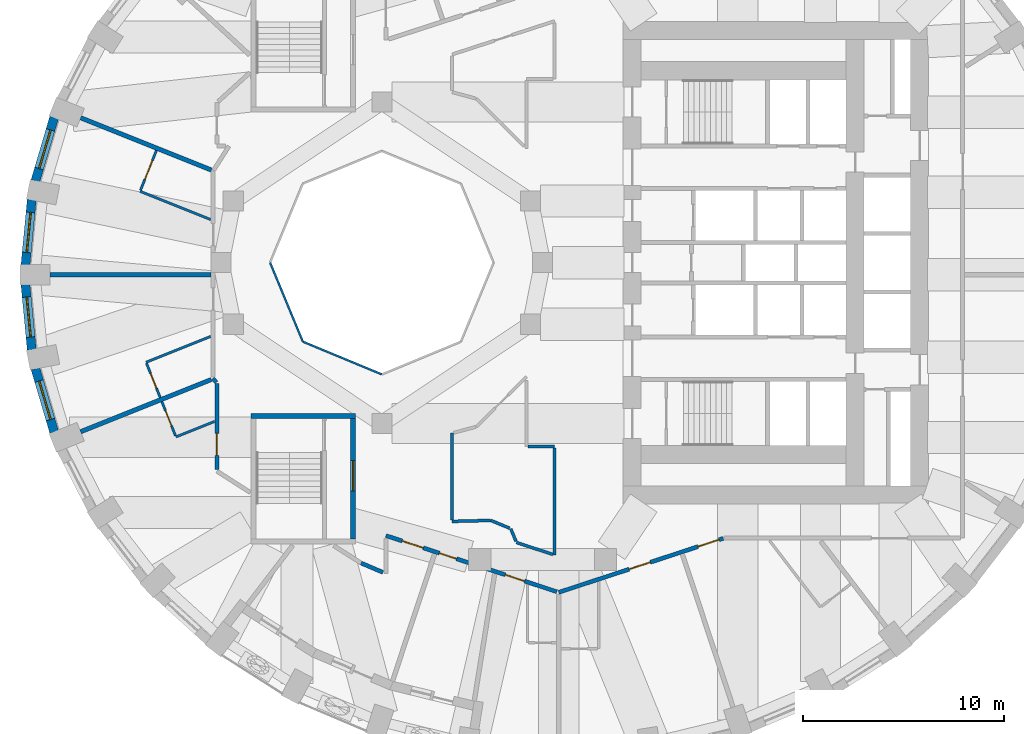
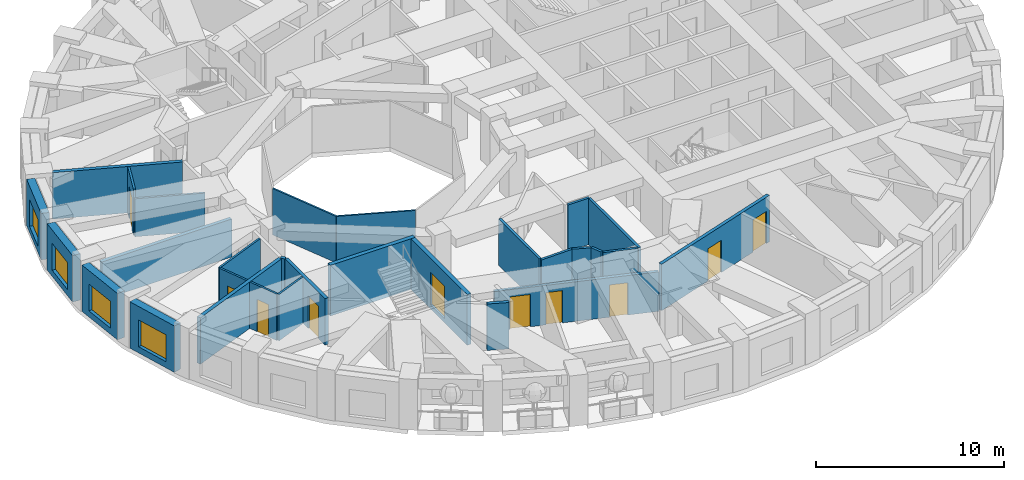
# One storey, part 4 of 12: 29 walls, 10 doors, 4 windows, 14 openings.
"""IFC4 building model written with IfcOpenShell, lengths in metres."""

from ifc_helpers import new_model, si_unit, direction, frame, frame_2d, origin, place, context, subcontext, project, spatial, rectangle, extrude, material, layer, layer_set, type_object, element, fill, save


model = new_model("IFC4")

# Units and contexts
model_context = context("Model", 3, precision=1e-05, world=origin(), true_north=direction((0.0, 1.0)))
body_context = subcontext(model_context, "Body", "Model", "MODEL_VIEW")
ifc_project = project(units=[si_unit("LENGTHUNIT", "METRE"), si_unit("AREAUNIT", "SQUARE_METRE"), si_unit("VOLUMEUNIT", "CUBIC_METRE"), si_unit("PLANEANGLEUNIT", "RADIAN"), si_unit("MASSUNIT", "GRAM", prefix="KILO")], contexts=[model_context])

# Site, building, storey
site_placement = place(None, origin())
site = spatial("IfcSite", under=ifc_project, at=site_placement, CompositionType="ELEMENT")
building_placement = place(site_placement, origin())
building = spatial("IfcBuilding", under=site, at=building_placement, Name="Taillehof Tower", CompositionType="ELEMENT")
storey_placement = place(building_placement, frame((0.0, 0.0, 125.199951171875)))
storey = spatial("IfcBuildingStorey", under=building, at=storey_placement, Name="L35", CompositionType="ELEMENT", Elevation=125.199951171875)

# Walls
ifc_material_1 = material(Name="Fire-resisting glass in steel frame", Category="steel")
ifc_layer_1 = layer(ifc_material_1, 0.10009765625)
ifc_layer_set_1 = layer_set([ifc_layer_1], Name="Atrium fire-resisting screen EI 60 100")
wall_type_1 = type_object("IfcWallType", Name="Atrium fire-resisting screen EI 60 100", PredefinedType="PARTITIONING", material=ifc_layer_set_1)
for number, where, z_axis, x_axis, name in (
    (1, (-8.0, -5.55419921875, 0.0), (0.0, 0.0, 1.0), (-0.923860025149, 0.382730523909, 0.0), "Atrium screen"),
    (2, (-11.92724609375, -3.92724609375, 0.0), (0.0, 0.0, 1.0), (-0.382730523909, 0.923860025149, 0.0), "Atrium screen"),
):
    element("IfcWall", number, at=place(storey_placement, frame(where, z_axis=z_axis, x_axis=x_axis)), inside=storey, type_object=wall_type_1, Name=name, PredefinedType="PARTITIONING", context=body_context, shape_type="SweptSolid", body=[
        extrude(rectangle(XDim=4.2509765625, YDim=0.10009765625, at=frame_2d((2.12548828125, 0.0))), origin(), (0.0, 0.0, 1.0), 3.02001953125),
    ])

# Wall, opening, window
ifc_material_2 = material(Name="Brick masonry", Category="masonry")
ifc_layer_2 = layer(ifc_material_2, 0.449951171875)
ifc_layer_set_2 = layer_set([ifc_layer_2], Name="Brick infill wall 450")
wall_type_2 = type_object("IfcWallType", Name="Brick infill wall 450", PredefinedType="SOLIDWALL", material=ifc_layer_set_2)
wall_1_placement = place(storey_placement, frame((-24.302001953125, 7.220703125, 0.0), z_axis=(0.0, 0.0, 1.0), x_axis=(-0.283071248438, -0.959098883488, 0.0)))
wall_1 = element("IfcWall", 3, at=wall_1_placement, inside=storey, type_object=wall_type_2, Name="Brick wall L35 bay 17", PredefinedType="SOLIDWALL", context=body_context, shape_type="SweptSolid", body=[
    extrude(rectangle(XDim=3.2861328125, YDim=0.449951171875, at=frame_2d((1.64306640625, 0.0))), origin(), (0.0, 0.0, 1.0), 3.02001953125),
])
opening_1_placement = place(wall_1_placement, frame((0.64306640625, 0.0, 0.39990234375)))
opening_1 = element("IfcOpeningElement", 4, at=opening_1_placement, cuts=wall_1, Name="Opening W2", PredefinedType="OPENING", context=body_context, shape_type="SweptSolid", body=[
    extrude(rectangle(XDim=2.0, YDim=1.75, at=frame_2d((1.0, 0.875))), frame((0.0, 0.23486328125, 0.0), z_axis=(0.0, -1.0, 0.0), x_axis=(1.0, 0.0, 0.0)), (0.0, 0.0, 1.0), 0.469970703125),
])
ifc_material_3 = material(Name="Aluminium window frame with clear double glazing", Category="aluminium")
window_type = type_object("IfcWindowType", Name="Deep-set window 2000x1750", PartitioningType="SINGLE_PANEL", PredefinedType="WINDOW", material=ifc_material_3)
window_1_placement = place(opening_1_placement, origin())
window_1 = element("IfcWindow", 5, at=window_1_placement, inside=storey, type_object=window_type, Name="W2", OverallHeight=1.75, OverallWidth=2.0, PartitioningType="SINGLE_PANEL", PredefinedType="WINDOW", context=body_context, shape_type="SweptSolid", body=[
    extrude(rectangle(XDim=2.0, YDim=1.75, at=frame_2d((1.0, 0.875))), frame((0.0, 0.034912109375, 0.0), z_axis=(0.0, -1.0, 0.0), x_axis=(1.0, 0.0, 0.0)), (0.0, 0.0, 1.0), 0.06005859375),
])
fill(opening_1, window_1)

wall_2_placement = place(storey_placement, frame((-25.414794921875, 3.12646484375, 0.0), z_axis=(0.0, 0.0, 1.0), x_axis=(-0.095967726544, -0.995384446062, 0.0)))
wall_2 = element("IfcWall", 6, at=wall_2_placement, inside=storey, type_object=wall_type_2, Name="Brick wall L35 bay 18", PredefinedType="SOLIDWALL", context=body_context, shape_type="SweptSolid", body=[
    extrude(rectangle(XDim=3.261474609375, YDim=0.449951171875, at=frame_2d((1.630859375, 0.0))), origin(), (0.0, 0.0, 1.0), 3.02001953125),
])
opening_2_placement = place(wall_2_placement, frame((0.630615234375, 0.0, 0.39990234375)))
opening_2 = element("IfcOpeningElement", 7, at=opening_2_placement, cuts=wall_2, Name="Opening W2", PredefinedType="OPENING", context=body_context, shape_type="SweptSolid", body=[
    extrude(rectangle(XDim=2.0, YDim=1.75, at=frame_2d((1.0, 0.875))), frame((0.0, 0.23486328125, 0.0), z_axis=(0.0, -1.0, 0.0), x_axis=(1.0, 0.0, 0.0)), (0.0, 0.0, 1.0), 0.469970703125),
])
window_2_placement = place(opening_2_placement, origin())
window_2 = element("IfcWindow", 8, at=window_2_placement, inside=storey, type_object=window_type, Name="W2", OverallHeight=1.75, OverallWidth=2.0, PartitioningType="SINGLE_PANEL", PredefinedType="WINDOW", context=body_context, shape_type="SweptSolid", body=[
    extrude(rectangle(XDim=2.0, YDim=1.75, at=frame_2d((1.0, 0.875))), frame((0.0, 0.034912109375, 0.0), z_axis=(0.0, -1.0, 0.0), x_axis=(1.0, 0.0, 0.0)), (0.0, 0.0, 1.0), 0.06005859375),
])
fill(opening_2, window_2)

wall_3_placement = place(storey_placement, frame((-25.727783203125, -1.080078125, 0.0), z_axis=(0.0, 0.0, 1.0), x_axis=(0.095967726544, -0.995384446062, 0.0)))
wall_3 = element("IfcWall", 9, at=wall_3_placement, inside=storey, type_object=wall_type_2, Name="Brick wall L35 bay 19", PredefinedType="SOLIDWALL", context=body_context, shape_type="SweptSolid", body=[
    extrude(rectangle(XDim=3.261474609375, YDim=0.449951171875, at=frame_2d((1.630859375, 0.0))), origin(), (0.0, 0.0, 1.0), 3.02001953125),
])
opening_3_placement = place(wall_3_placement, frame((0.630615234375, 0.0, 0.39990234375)))
opening_3 = element("IfcOpeningElement", 10, at=opening_3_placement, cuts=wall_3, Name="Opening W2", PredefinedType="OPENING", context=body_context, shape_type="SweptSolid", body=[
    extrude(rectangle(XDim=2.0, YDim=1.75, at=frame_2d((1.0, 0.875))), frame((0.0, 0.23486328125, 0.0), z_axis=(0.0, -1.0, 0.0), x_axis=(1.0, 0.0, 0.0)), (0.0, 0.0, 1.0), 0.469970703125),
])
window_3_placement = place(opening_3_placement, origin())
window_3 = element("IfcWindow", 11, at=window_3_placement, inside=storey, type_object=window_type, Name="W2", OverallHeight=1.75, OverallWidth=2.0, PartitioningType="SINGLE_PANEL", PredefinedType="WINDOW", context=body_context, shape_type="SweptSolid", body=[
    extrude(rectangle(XDim=2.0, YDim=1.75, at=frame_2d((1.0, 0.875))), frame((0.0, 0.034912109375, 0.0), z_axis=(0.0, -1.0, 0.0), x_axis=(1.0, 0.0, 0.0)), (0.0, 0.0, 1.0), 0.06005859375),
])
fill(opening_3, window_3)

wall_4_placement = place(storey_placement, frame((-25.232177734375, -5.26904296875, 0.0), z_axis=(0.0, 0.0, 1.0), x_axis=(0.283051078697, -0.959104836214, 0.0)))
wall_4 = element("IfcWall", 12, at=wall_4_placement, inside=storey, type_object=wall_type_2, Name="Brick wall L35 bay 20", PredefinedType="SOLIDWALL", context=body_context, shape_type="SweptSolid", body=[
    extrude(rectangle(XDim=3.2861328125, YDim=0.449951171875, at=frame_2d((1.64306640625, 0.0))), origin(), (0.0, 0.0, 1.0), 3.02001953125),
])
opening_4_placement = place(wall_4_placement, frame((0.64306640625, 0.0, 0.39990234375)))
opening_4 = element("IfcOpeningElement", 13, at=opening_4_placement, cuts=wall_4, Name="Opening W2", PredefinedType="OPENING", context=body_context, shape_type="SweptSolid", body=[
    extrude(rectangle(XDim=2.0, YDim=1.75, at=frame_2d((1.0, 0.875))), frame((0.0, 0.23486328125, 0.0), z_axis=(0.0, -1.0, 0.0), x_axis=(1.0, 0.0, 0.0)), (0.0, 0.0, 1.0), 0.469970703125),
])
window_4_placement = place(opening_4_placement, origin())
window_4 = element("IfcWindow", 14, at=window_4_placement, inside=storey, type_object=window_type, Name="W2", OverallHeight=1.75, OverallWidth=2.0, PartitioningType="SINGLE_PANEL", PredefinedType="WINDOW", context=body_context, shape_type="SweptSolid", body=[
    extrude(rectangle(XDim=2.0, YDim=1.75, at=frame_2d((1.0, 0.875))), frame((0.0, 0.034912109375, 0.0), z_axis=(0.0, -1.0, 0.0), x_axis=(1.0, 0.0, 0.0)), (0.0, 0.0, 1.0), 0.06005859375),
])
fill(opening_4, window_4)

# Wall, opening, door
ifc_material_4 = material(Name="Gypsum board on steel studs, two layers each side", Category="steel")
ifc_layer_3 = layer(ifc_material_4, 0.199951171875)
ifc_layer_set_3 = layer_set([ifc_layer_3], Name="Compartment wall corridor 200")
wall_type_3 = type_object("IfcWallType", Name="Compartment wall corridor 200", PredefinedType="PARTITIONING", material=ifc_layer_set_3)
wall_5_placement = place(storey_placement, frame((-16.199951171875, -10.294189453125, 0.0), z_axis=(0.0, 0.0, 1.0), x_axis=(0.0, 1.0, 0.0)))
wall_5 = element("IfcWall", 15, at=wall_5_placement, inside=storey, type_object=wall_type_3, Name="Compartment wall", PredefinedType="PARTITIONING", context=body_context, shape_type="SweptSolid", body=[
    extrude(rectangle(XDim=4.285400390625, YDim=0.199951171875, at=frame_2d((2.142578125, 0.0))), origin(), (0.0, 0.0, 1.0), 3.02001953125),
])
opening_5_placement = place(wall_5_placement, frame((0.703125, 0.0, 0.0)))
opening_5 = element("IfcOpeningElement", 16, at=opening_5_placement, cuts=wall_5, Name="Opening D3552", PredefinedType="OPENING", context=body_context, shape_type="SweptSolid", body=[
    extrude(rectangle(XDim=1.10009765625, YDim=2.10009765625, at=frame_2d((0.550048828125, 1.050048828125))), frame((0.0, 0.10986328125, 0.0), z_axis=(0.0, -1.0, 0.0), x_axis=(1.0, 0.0, 0.0)), (0.0, 0.0, 1.0), 0.219970703125),
])
ifc_material_5 = material(Name="Timber door leaf in steel frame", Category="steel")
door_type_1 = type_object("IfcDoorType", Name="Suite entrance door EI 30 1100 x 2100", OperationType="SINGLE_SWING_LEFT", PredefinedType="DOOR", material=ifc_material_5)
door_1_placement = place(opening_5_placement, origin())
door_1 = element("IfcDoor", 17, at=door_1_placement, inside=storey, type_object=door_type_1, Name="D3552", OperationType="SINGLE_SWING_RIGHT", OverallHeight=2.10009765625, OverallWidth=1.10009765625, PredefinedType="DOOR", context=body_context, shape_type="SweptSolid", body=[
    extrude(rectangle(XDim=1.10009765625, YDim=2.10009765625, at=frame_2d((0.550048828125, 1.050048828125))), frame((0.0, 0.02490234375, 0.0), z_axis=(0.0, -1.0, 0.0), x_axis=(1.0, 0.0, 0.0)), (0.0, 0.0, 1.0), 0.050048828125),
])
fill(opening_5, door_1)

# Wall
wall_6_placement = place(storey_placement, frame((-16.236572265625, -5.961181640625, 0.0), z_axis=(0.0, 0.0, 1.0), x_axis=(-0.61310674242, 0.790000077468, 0.0)))
element("IfcWall", 18, at=wall_6_placement, inside=storey, type_object=wall_type_3, Name="Compartment wall", PredefinedType="PARTITIONING", context=body_context, shape_type="SweptSolid", body=[
    extrude(rectangle(XDim=0.263671875, YDim=0.199951171875, at=frame_2d((0.1318359375, 0.0))), origin(), (0.0, 0.0, 1.0), 3.02001953125),
])

# Wall, openings, doors
wall_7_placement = place(storey_placement, frame((8.984130859375, -13.712646484375, 0.0), z_axis=(0.0, 0.0, 1.0), x_axis=(-0.950093687873, -0.311964716378, 0.0)))
wall_7 = element("IfcWall", 19, at=wall_7_placement, inside=storey, type_object=wall_type_3, Name="Compartment wall", PredefinedType="PARTITIONING", context=body_context, shape_type="SweptSolid", body=[
    extrude(rectangle(XDim=8.614013671875, YDim=0.199951171875, at=frame_2d((4.30712890625, 0.0))), origin(), (0.0, 0.0, 1.0), 3.02001953125),
])
opening_6_placement = place(wall_7_placement, frame((3.819580078125, 0.0, 0.0)))
opening_6 = element("IfcOpeningElement", 20, at=opening_6_placement, cuts=wall_7, Name="Opening D3558", PredefinedType="OPENING", context=body_context, shape_type="SweptSolid", body=[
    extrude(rectangle(XDim=1.10009765625, YDim=2.10009765625, at=frame_2d((0.550048828125, 1.050048828125))), frame((0.0, 0.10986328125, 0.0), z_axis=(0.0, -1.0, 0.0), x_axis=(1.0, 0.0, 0.0)), (0.0, 0.0, 1.0), 0.219970703125),
])
opening_7_placement = place(wall_7_placement, frame((0.219970703125, 0.0, 0.0)))
opening_7 = element("IfcOpeningElement", 21, at=opening_7_placement, cuts=wall_7, Name="Opening D3560", PredefinedType="OPENING", context=body_context, shape_type="SweptSolid", body=[
    extrude(rectangle(XDim=1.10009765625, YDim=2.10009765625, at=frame_2d((0.550048828125, 1.050048828125))), frame((0.0, 0.10986328125, 0.0), z_axis=(0.0, -1.0, 0.0), x_axis=(1.0, 0.0, 0.0)), (0.0, 0.0, 1.0), 0.219970703125),
])
door_2_placement = place(opening_6_placement, origin())
door_2 = element("IfcDoor", 22, at=door_2_placement, inside=storey, type_object=door_type_1, Name="D3558", OperationType="SINGLE_SWING_LEFT", OverallHeight=2.10009765625, OverallWidth=1.10009765625, PredefinedType="DOOR", context=body_context, shape_type="SweptSolid", body=[
    extrude(rectangle(XDim=1.10009765625, YDim=2.10009765625, at=frame_2d((0.550048828125, 1.050048828125))), frame((0.0, 0.02490234375, 0.0), z_axis=(0.0, -1.0, 0.0), x_axis=(1.0, 0.0, 0.0)), (0.0, 0.0, 1.0), 0.050048828125),
])
fill(opening_6, door_2)
door_3_placement = place(opening_7_placement, origin())
door_3 = element("IfcDoor", 23, at=door_3_placement, inside=storey, type_object=door_type_1, Name="D3560", OperationType="SINGLE_SWING_LEFT", OverallHeight=2.10009765625, OverallWidth=1.10009765625, PredefinedType="DOOR", context=body_context, shape_type="SweptSolid", body=[
    extrude(rectangle(XDim=1.10009765625, YDim=2.10009765625, at=frame_2d((0.550048828125, 1.050048828125))), frame((0.0, 0.02490234375, 0.0), z_axis=(0.0, -1.0, 0.0), x_axis=(1.0, 0.0, 0.0)), (0.0, 0.0, 1.0), 0.050048828125),
])
fill(opening_7, door_3)

wall_8_placement = place(storey_placement, frame((0.704833984375, -16.3681640625, 0.0), z_axis=(0.0, 0.0, 1.0), x_axis=(-0.95010544032, 0.311928921832, 0.0)))
wall_8 = element("IfcWall", 24, at=wall_8_placement, inside=storey, type_object=wall_type_3, Name="Compartment wall", PredefinedType="PARTITIONING", context=body_context, shape_type="SweptSolid", body=[
    extrude(rectangle(XDim=8.951416015625, YDim=0.199951171875, at=frame_2d((4.4755859375, 0.0))), origin(), (0.0, 0.0, 1.0), 2.570068359375),
])
opening_8_placement = place(wall_8_placement, frame((6.993408203125, 0.0, 0.0)))
opening_8 = element("IfcOpeningElement", 25, at=opening_8_placement, cuts=wall_8, Name="Opening D3554", PredefinedType="OPENING", context=body_context, shape_type="SweptSolid", body=[
    extrude(rectangle(XDim=1.10009765625, YDim=2.10009765625, at=frame_2d((0.550048828125, 1.050048828125))), frame((0.0, 0.10986328125, 0.0), z_axis=(0.0, -1.0, 0.0), x_axis=(1.0, 0.0, 0.0)), (0.0, 0.0, 1.0), 0.219970703125),
])
opening_9_placement = place(wall_8_placement, frame((5.248291015625, 0.0, 0.0)))
opening_9 = element("IfcOpeningElement", 26, at=opening_9_placement, cuts=wall_8, Name="Opening D3555", PredefinedType="OPENING", context=body_context, shape_type="SweptSolid", body=[
    extrude(rectangle(XDim=0.89990234375, YDim=2.10009765625, at=frame_2d((0.449951171875, 1.050048828125))), frame((0.0, 0.10986328125, 0.0), z_axis=(0.0, -1.0, 0.0), x_axis=(1.0, 0.0, 0.0)), (0.0, 0.0, 1.0), 0.219970703125),
])
opening_10_placement = place(wall_8_placement, frame((1.68798828125, 0.0, 0.0)))
opening_10 = element("IfcOpeningElement", 27, at=opening_10_placement, cuts=wall_8, Name="Opening D3556", PredefinedType="OPENING", context=body_context, shape_type="SweptSolid", body=[
    extrude(rectangle(XDim=1.0, YDim=2.10009765625, at=frame_2d((0.5, 1.050048828125))), frame((0.0, 0.10986328125, 0.0), z_axis=(0.0, -1.0, 0.0), x_axis=(1.0, 0.0, 0.0)), (0.0, 0.0, 1.0), 0.219970703125),
])
ifc_material_6 = material(Name="Timber door leaf in steel frame", Category="steel")
door_type_2 = type_object("IfcDoorType", Name="Guest room door EI 30 1000 x 2100", OperationType="SINGLE_SWING_LEFT", PredefinedType="DOOR", material=ifc_material_6)
door_4_placement = place(opening_10_placement, origin())
door_4 = element("IfcDoor", 28, at=door_4_placement, inside=storey, type_object=door_type_2, Name="D3556", OperationType="SINGLE_SWING_LEFT", OverallHeight=2.10009765625, OverallWidth=1.0, PredefinedType="DOOR", context=body_context, shape_type="SweptSolid", body=[
    extrude(rectangle(XDim=1.0, YDim=2.10009765625, at=frame_2d((0.5, 1.050048828125))), frame((0.0, 0.02490234375, 0.0), z_axis=(0.0, -1.0, 0.0), x_axis=(1.0, 0.0, 0.0)), (0.0, 0.0, 1.0), 0.050048828125),
])
fill(opening_10, door_4)
ifc_material_7 = material(Name="Timber door leaf in steel frame", Category="steel")
door_type_3 = type_object("IfcDoorType", Name="Service room door EI 30 900 x 2100", OperationType="SINGLE_SWING_LEFT", PredefinedType="DOOR", material=ifc_material_7)
door_5_placement = place(opening_9_placement, origin())
door_5 = element("IfcDoor", 29, at=door_5_placement, inside=storey, type_object=door_type_3, Name="D3555", OperationType="SINGLE_SWING_RIGHT", OverallHeight=2.10009765625, OverallWidth=0.89990234375, PredefinedType="DOOR", context=body_context, shape_type="SweptSolid", body=[
    extrude(rectangle(XDim=0.89990234375, YDim=2.10009765625, at=frame_2d((0.449951171875, 1.050048828125))), frame((0.0, 0.02490234375, 0.0), z_axis=(0.0, -1.0, 0.0), x_axis=(1.0, 0.0, 0.0)), (0.0, 0.0, 1.0), 0.050048828125),
])
fill(opening_9, door_5)
door_6_placement = place(opening_8_placement, origin())
door_6 = element("IfcDoor", 30, at=door_6_placement, inside=storey, type_object=door_type_1, Name="D3554", OperationType="SINGLE_SWING_LEFT", OverallHeight=2.10009765625, OverallWidth=1.10009765625, PredefinedType="DOOR", context=body_context, shape_type="SweptSolid", body=[
    extrude(rectangle(XDim=1.10009765625, YDim=2.10009765625, at=frame_2d((0.550048828125, 1.050048828125))), frame((0.0, 0.02490234375, 0.0), z_axis=(0.0, -1.0, 0.0), x_axis=(1.0, 0.0, 0.0)), (0.0, 0.0, 1.0), 0.050048828125),
])
fill(opening_8, door_6)

# Walls
wall_9_placement = place(storey_placement, frame((-7.946533203125, -15.404296875, 0.0), z_axis=(0.0, 0.0, 1.0), x_axis=(-0.920608906038, 0.390485905153, 0.0)))
element("IfcWall", 31, at=wall_9_placement, inside=storey, type_object=wall_type_3, Name="Compartment wall", PredefinedType="PARTITIONING", context=body_context, shape_type="SweptSolid", body=[
    extrude(rectangle(XDim=1.1767578125, YDim=0.199951171875, at=frame_2d((0.58837890625, 0.0))), origin(), (0.0, 0.0, 1.0), 3.02001953125),
])
ifc_material_8 = material(Name="Gypsum board on double steel studs with mineral wool", Category="steel")
ifc_layer_4 = layer(ifc_material_8, 0.219970703125)
ifc_layer_set_4 = layer_set([ifc_layer_4], Name="Compartment wall guest room 220")
wall_type_4 = type_object("IfcWallType", Name="Compartment wall guest room 220", PredefinedType="PARTITIONING", material=ifc_layer_set_4)
wall_10_placement = place(storey_placement, frame((-22.982666015625, 7.21044921875, 0.0), z_axis=(0.0, 0.0, 1.0), x_axis=(0.928548801607, -0.371210348771, 0.0)))
element("IfcWall", 32, at=wall_10_placement, inside=storey, type_object=wall_type_4, Name="Compartment wall", PredefinedType="PARTITIONING", context=body_context, shape_type="SweptSolid", body=[
    extrude(rectangle(XDim=7.003173828125, YDim=0.219970703125, at=frame_2d((3.50146484375, 0.0))), origin(), (0.0, 0.0, 1.0), 3.02001953125),
])
wall_11_placement = place(storey_placement, frame((-24.5, -0.60009765625, 0.0), z_axis=(0.0, 0.0, 1.0), x_axis=(1.0, 0.0, 0.0)))
element("IfcWall", 33, at=wall_11_placement, inside=storey, type_object=wall_type_4, Name="Compartment wall", PredefinedType="PARTITIONING", context=body_context, shape_type="SweptSolid", body=[
    extrude(rectangle(XDim=8.001708984375, YDim=0.219970703125, at=frame_2d((4.0009765625, 0.0))), origin(), (0.0, 0.0, 1.0), 2.469970703125),
])
wall_12_placement = place(storey_placement, frame((-22.982666015625, -8.410400390625, 0.0), z_axis=(0.0, 0.0, 1.0), x_axis=(0.928551252469, 0.371204218105, 0.0)))
element("IfcWall", 34, at=wall_12_placement, inside=storey, type_object=wall_type_4, Name="Compartment wall", PredefinedType="PARTITIONING", context=body_context, shape_type="SweptSolid", body=[
    extrude(rectangle(XDim=6.99853515625, YDim=0.219970703125, at=frame_2d((3.499267578125, 0.0))), origin(), (0.0, 0.0, 1.0), 3.02001953125),
])
ifc_material_9 = material(Name="Gypsum board on steel studs, two layers each side", Category="steel")
ifc_layer_5 = layer(ifc_material_9, 0.14990234375)
ifc_layer_set_5 = layer_set([ifc_layer_5], Name="Compartment wall service room 150")
wall_type_5 = type_object("IfcWallType", Name="Compartment wall service room 150", PredefinedType="PARTITIONING", material=ifc_layer_set_5)
wall_13_placement = place(storey_placement, frame((-0.719970703125, -9.14990234375, 0.0), z_axis=(0.0, 0.0, 1.0), x_axis=(1.0, 0.0, 0.0)))
element("IfcWall", 35, at=wall_13_placement, inside=storey, type_object=wall_type_5, Name="Compartment wall", PredefinedType="PARTITIONING", context=body_context, shape_type="SweptSolid", body=[
    extrude(rectangle(XDim=1.320068359375, YDim=0.14990234375, at=frame_2d((0.66015625, 0.0))), origin(), (0.0, 0.0, 1.0), 3.02001953125),
])
wall_14_placement = place(storey_placement, frame((0.60009765625, -9.22998046875, 0.0), z_axis=(0.0, 0.0, 1.0), x_axis=(0.0, -1.0, 0.0)))
element("IfcWall", 36, at=wall_14_placement, inside=storey, type_object=wall_type_5, Name="Compartment wall", PredefinedType="PARTITIONING", context=body_context, shape_type="SweptSolid", body=[
    extrude(rectangle(XDim=5.31494140625, YDim=0.14990234375, at=frame_2d((2.657470703125, 0.0))), origin(), (0.0, 0.0, 1.0), 3.02001953125),
])
wall_15_placement = place(storey_placement, frame((0.5048828125, -14.51318359375, 0.0), z_axis=(0.0, 0.0, 1.0), x_axis=(-0.950175898888, 0.31171422998, 0.0)))
element("IfcWall", 37, at=wall_15_placement, inside=storey, type_object=wall_type_5, Name="Compartment wall", PredefinedType="PARTITIONING", context=body_context, shape_type="SweptSolid", body=[
    extrude(rectangle(XDim=1.900146484375, YDim=0.14990234375, at=frame_2d((0.9501953125, 0.0))), origin(), (0.0, 0.0, 1.0), 3.02001953125),
])
wall_16_placement = place(storey_placement, frame((-1.3232421875, -13.865234375, 0.0), z_axis=(0.0, 0.0, 1.0), x_axis=(-0.382970536008, 0.923760558018, 0.0)))
element("IfcWall", 38, at=wall_16_placement, inside=storey, type_object=wall_type_5, Name="Compartment wall", PredefinedType="PARTITIONING", context=body_context, shape_type="SweptSolid", body=[
    extrude(rectangle(XDim=0.685302734375, YDim=0.14990234375, at=frame_2d((0.3427734375, 0.0))), origin(), (0.0, 0.0, 1.0), 3.02001953125),
])
wall_17_placement = place(storey_placement, frame((-1.641357421875, -13.20947265625, 0.0), z_axis=(0.0, 0.0, 1.0), x_axis=(-0.923725449546, 0.383055209937, 0.0)))
element("IfcWall", 39, at=wall_17_placement, inside=storey, type_object=wall_type_5, Name="Compartment wall", PredefinedType="PARTITIONING", context=body_context, shape_type="SweptSolid", body=[
    extrude(rectangle(XDim=1.011474609375, YDim=0.14990234375, at=frame_2d((0.505859375, 0.0))), origin(), (0.0, 0.0, 1.0), 3.02001953125),
])
wall_18_placement = place(storey_placement, frame((-2.595703125, -12.822509765625, 0.0), z_axis=(0.0, 0.0, 1.0), x_axis=(-0.999684436087, -0.025120275573, 0.0)))
element("IfcWall", 40, at=wall_18_placement, inside=storey, type_object=wall_type_5, Name="Compartment wall", PredefinedType="PARTITIONING", context=body_context, shape_type="SweptSolid", body=[
    extrude(rectangle(XDim=1.90478515625, YDim=0.14990234375, at=frame_2d((0.952392578125, 0.0))), origin(), (0.0, 0.0, 1.0), 3.02001953125),
])
wall_19_placement = place(storey_placement, frame((-4.5, -12.790283203125, 0.0), z_axis=(0.0, 0.0, 1.0), x_axis=(0.0, 1.0, 0.0)))
element("IfcWall", 41, at=wall_19_placement, inside=storey, type_object=wall_type_5, Name="Compartment wall", PredefinedType="PARTITIONING", context=body_context, shape_type="SweptSolid", body=[
    extrude(rectangle(XDim=4.30712890625, YDim=0.14990234375, at=frame_2d((2.153564453125, 0.0))), origin(), (0.0, 0.0, 1.0), 3.02001953125),
])
ifc_material_10 = material(Name="Gypsum board on steel studs, moisture resistant", Category="steel")
ifc_layer_6 = layer(ifc_material_10, 0.1201171875)
ifc_layer_set_6 = layer_set([ifc_layer_6], Name="En-suite wall 120")
wall_type_6 = type_object("IfcWallType", Name="En-suite wall 120", PredefinedType="PARTITIONING", material=ifc_layer_set_6)
wall_20_placement = place(storey_placement, frame((-16.516845703125, 2.1484375, 0.0), z_axis=(0.0, 0.0, 1.0), x_axis=(-0.928534615374, 0.37124583237, 0.0)))
element("IfcWall", 42, at=wall_20_placement, inside=storey, type_object=wall_type_6, Name="En-suite wall", PredefinedType="PARTITIONING", context=body_context, shape_type="SweptSolid", body=[
    extrude(rectangle(XDim=3.778076171875, YDim=0.1201171875, at=frame_2d((1.88916015625, 0.0))), origin(), (0.0, 0.0, 1.0), 2.469970703125),
])
wall_21_placement = place(storey_placement, frame((-16.516845703125, -3.671630859375, 0.0), z_axis=(0.0, 0.0, 1.0), x_axis=(-0.928554629191, -0.371195771268, 0.0)))
element("IfcWall", 43, at=wall_21_placement, inside=storey, type_object=wall_type_6, Name="En-suite wall", PredefinedType="PARTITIONING", context=body_context, shape_type="SweptSolid", body=[
    extrude(rectangle(XDim=3.45556640625, YDim=0.1201171875, at=frame_2d((1.727783203125, 0.0))), origin(), (0.0, 0.0, 1.0), 3.02001953125),
])
wall_22_placement = place(storey_placement, frame((-16.318603515625, -7.900146484375, 0.0), z_axis=(0.0, 0.0, 1.0), x_axis=(-0.92852548478, -0.371268668371, 0.0)))
element("IfcWall", 44, at=wall_22_placement, inside=storey, type_object=wall_type_6, Name="En-suite wall", PredefinedType="PARTITIONING", context=body_context, shape_type="SweptSolid", body=[
    extrude(rectangle(XDim=2.070068359375, YDim=0.1201171875, at=frame_2d((1.03515625, 0.0))), origin(), (0.0, 0.0, 1.0), 3.02001953125),
])

# Wall, opening, door
wall_23_placement = place(storey_placement, frame((-20.0029296875, 3.606689453125, 0.0), z_axis=(0.0, 0.0, 1.0), x_axis=(0.371351153758, 0.928492498948, 0.0)))
wall_23 = element("IfcWall", 45, at=wall_23_placement, inside=storey, type_object=wall_type_6, Name="En-suite wall", PredefinedType="PARTITIONING", context=body_context, shape_type="SweptSolid", body=[
    extrude(rectangle(XDim=2.130126953125, YDim=0.1201171875, at=frame_2d((1.06494140625, 0.0))), origin(), (0.0, 0.0, 1.0), 3.02001953125),
])
opening_11_placement = place(wall_23_placement, frame((0.590087890625, 0.0, 0.0)))
opening_11 = element("IfcOpeningElement", 46, at=opening_11_placement, cuts=wall_23, Name="Opening D3549", PredefinedType="OPENING", context=body_context, shape_type="SweptSolid", body=[
    extrude(rectangle(XDim=1.0, YDim=2.10009765625, at=frame_2d((0.5, 1.050048828125))), frame((0.0, 0.070068359375, 0.0), z_axis=(0.0, -1.0, 0.0), x_axis=(1.0, 0.0, 0.0)), (0.0, 0.0, 1.0), 0.14013671875),
])
ifc_material_11 = material(Name="Timber door leaf in steel frame", Category="steel")
door_type_4 = type_object("IfcDoorType", Name="Accessible en-suite door 1000 x 2100", OperationType="SINGLE_SWING_LEFT", PredefinedType="DOOR", material=ifc_material_11)
door_7_placement = place(opening_11_placement, origin())
door_7 = element("IfcDoor", 47, at=door_7_placement, inside=storey, type_object=door_type_4, Name="D3549", OperationType="SINGLE_SWING_RIGHT", OverallHeight=2.10009765625, OverallWidth=1.0, PredefinedType="DOOR", context=body_context, shape_type="SweptSolid", body=[
    extrude(rectangle(XDim=1.0, YDim=2.10009765625, at=frame_2d((0.5, 1.050048828125))), frame((0.0, 0.02490234375, 0.0), z_axis=(0.0, -1.0, 0.0), x_axis=(1.0, 0.0, 0.0)), (0.0, 0.0, 1.0), 0.050048828125),
])
fill(opening_11, door_7)

wall_24_placement = place(storey_placement, frame((-19.703369140625, -5.010009765625, 0.0), z_axis=(0.0, 0.0, 1.0), x_axis=(0.371229680537, -0.928541073022, 0.0)))
wall_24 = element("IfcWall", 48, at=wall_24_placement, inside=storey, type_object=wall_type_6, Name="En-suite wall", PredefinedType="PARTITIONING", context=body_context, shape_type="SweptSolid", body=[
    extrude(rectangle(XDim=1.830322265625, YDim=0.1201171875, at=frame_2d((0.9150390625, 0.0))), origin(), (0.0, 0.0, 1.0), 3.02001953125),
])
opening_12_placement = place(wall_24_placement, frame((0.5400390625, 0.0, 0.0)))
opening_12 = element("IfcOpeningElement", 49, at=opening_12_placement, cuts=wall_24, Name="Opening D3551", PredefinedType="OPENING", context=body_context, shape_type="SweptSolid", body=[
    extrude(rectangle(XDim=0.800048828125, YDim=2.10009765625, at=frame_2d((0.39990234375, 1.050048828125))), frame((0.0, 0.070068359375, 0.0), z_axis=(0.0, -1.0, 0.0), x_axis=(1.0, 0.0, 0.0)), (0.0, 0.0, 1.0), 0.14013671875),
])
ifc_material_12 = material(Name="Timber door leaf in steel frame", Category="steel")
door_type_5 = type_object("IfcDoorType", Name="En-suite door 800 x 2100", OperationType="SINGLE_SWING_LEFT", PredefinedType="DOOR", material=ifc_material_12)
door_8_placement = place(opening_12_placement, origin())
door_8 = element("IfcDoor", 50, at=door_8_placement, inside=storey, type_object=door_type_5, Name="D3551", OperationType="SINGLE_SWING_LEFT", OverallHeight=2.10009765625, OverallWidth=0.800048828125, PredefinedType="DOOR", context=body_context, shape_type="SweptSolid", body=[
    extrude(rectangle(XDim=0.800048828125, YDim=2.10009765625, at=frame_2d((0.39990234375, 1.050048828125))), frame((0.0, 0.02490234375, 0.0), z_axis=(0.0, -1.0, 0.0), x_axis=(1.0, 0.0, 0.0)), (0.0, 0.0, 1.0), 0.050048828125),
])
fill(opening_12, door_8)

wall_25_placement = place(storey_placement, frame((-18.262939453125, -8.613037109375, 0.0), z_axis=(0.0, 0.0, 1.0), x_axis=(-0.371229680537, 0.928541073022, 0.0)))
wall_25 = element("IfcWall", 51, at=wall_25_placement, inside=storey, type_object=wall_type_6, Name="En-suite wall", PredefinedType="PARTITIONING", context=body_context, shape_type="SweptSolid", body=[
    extrude(rectangle(XDim=1.830322265625, YDim=0.1201171875, at=frame_2d((0.9150390625, 0.0))), origin(), (0.0, 0.0, 1.0), 3.02001953125),
])
opening_13_placement = place(wall_25_placement, frame((0.5400390625, 0.0, 0.0)))
opening_13 = element("IfcOpeningElement", 52, at=opening_13_placement, cuts=wall_25, Name="Opening D3553", PredefinedType="OPENING", context=body_context, shape_type="SweptSolid", body=[
    extrude(rectangle(XDim=0.800048828125, YDim=2.10009765625, at=frame_2d((0.39990234375, 1.050048828125))), frame((0.0, 0.070068359375, 0.0), z_axis=(0.0, -1.0, 0.0), x_axis=(1.0, 0.0, 0.0)), (0.0, 0.0, 1.0), 0.14013671875),
])
door_9_placement = place(opening_13_placement, origin())
door_9 = element("IfcDoor", 53, at=door_9_placement, inside=storey, type_object=door_type_5, Name="D3553", OperationType="SINGLE_SWING_RIGHT", OverallHeight=2.10009765625, OverallWidth=0.800048828125, PredefinedType="DOOR", context=body_context, shape_type="SweptSolid", body=[
    extrude(rectangle(XDim=0.800048828125, YDim=2.10009765625, at=frame_2d((0.39990234375, 1.050048828125))), frame((0.0, 0.02490234375, 0.0), z_axis=(0.0, -1.0, 0.0), x_axis=(1.0, 0.0, 0.0)), (0.0, 0.0, 1.0), 0.050048828125),
])
fill(opening_13, door_9)

ifc_material_13 = material(Name="Concrete C50/60", Category="concrete")
ifc_layer_7 = layer(ifc_material_13, 0.25)
ifc_layer_set_7 = layer_set([ifc_layer_7], Name="Stair wall C50/60 250")
wall_type_7 = type_object("IfcWallType", Name="Stair wall C50/60 250", PredefinedType="SHEAR", material=ifc_layer_set_7)
wall_26_placement = place(storey_placement, frame((-9.425048828125, -13.75, -0.280029296875), z_axis=(0.0, 0.0, 1.0), x_axis=(0.0, 1.0, 0.0)))
wall_26 = element("IfcWall", 54, at=wall_26_placement, inside=storey, type_object=wall_type_7, Name="Stair wall SC", PredefinedType="SHEAR", context=body_context, shape_type="SweptSolid", body=[
    extrude(rectangle(XDim=6.0, YDim=0.25, at=frame_2d((3.0, 0.0))), origin(), (0.0, 0.0, 1.0), 3.300048828125),
])
opening_14_placement = place(wall_26_placement, frame((2.39990234375, 0.0, 0.280029296875)))
opening_14 = element("IfcOpeningElement", 55, at=opening_14_placement, cuts=wall_26, Name="Opening D3520", PredefinedType="OPENING", context=body_context, shape_type="SweptSolid", body=[
    extrude(rectangle(XDim=1.5, YDim=2.10009765625, at=frame_2d((0.75, 1.050048828125))), frame((0.0, 0.135009765625, 0.0), z_axis=(0.0, -1.0, 0.0), x_axis=(1.0, 0.0, 0.0)), (0.0, 0.0, 1.0), 0.27001953125),
])
ifc_material_14 = material(Name="Steel-faced fire door", Category="steel")
door_type_6 = type_object("IfcDoorType", Name="Stair door 1500x2100", OperationType="DOUBLE_DOOR_SINGLE_SWING", PredefinedType="DOOR", material=ifc_material_14)
door_10_placement = place(opening_14_placement, origin())
door_10 = element("IfcDoor", 56, at=door_10_placement, inside=storey, type_object=door_type_6, Name="Stair door S4", OperationType="DOUBLE_DOOR_SINGLE_SWING", OverallHeight=2.10009765625, OverallWidth=1.5, PredefinedType="DOOR", context=body_context, shape_type="SweptSolid", body=[
    extrude(rectangle(XDim=1.5, YDim=2.10009765625, at=frame_2d((0.75, 1.050048828125))), frame((0.0, 0.02490234375, 0.0), z_axis=(0.0, -1.0, 0.0), x_axis=(1.0, 0.0, 0.0)), (0.0, 0.0, 1.0), 0.050048828125),
])
fill(opening_14, door_10)

# Wall
wall_27_placement = place(storey_placement, frame((-14.5, -7.625, -0.280029296875), z_axis=(0.0, 0.0, 1.0), x_axis=(1.0, 0.0, 0.0)))
element("IfcWall", 57, at=wall_27_placement, inside=storey, type_object=wall_type_7, Name="Stair wall SC", PredefinedType="SHEAR", context=body_context, shape_type="SweptSolid", body=[
    extrude(rectangle(XDim=5.199951171875, YDim=0.25, at=frame_2d((2.60009765625, 0.0))), origin(), (0.0, 0.0, 1.0), 3.300048828125),
])

save(model, "model.ifc")
